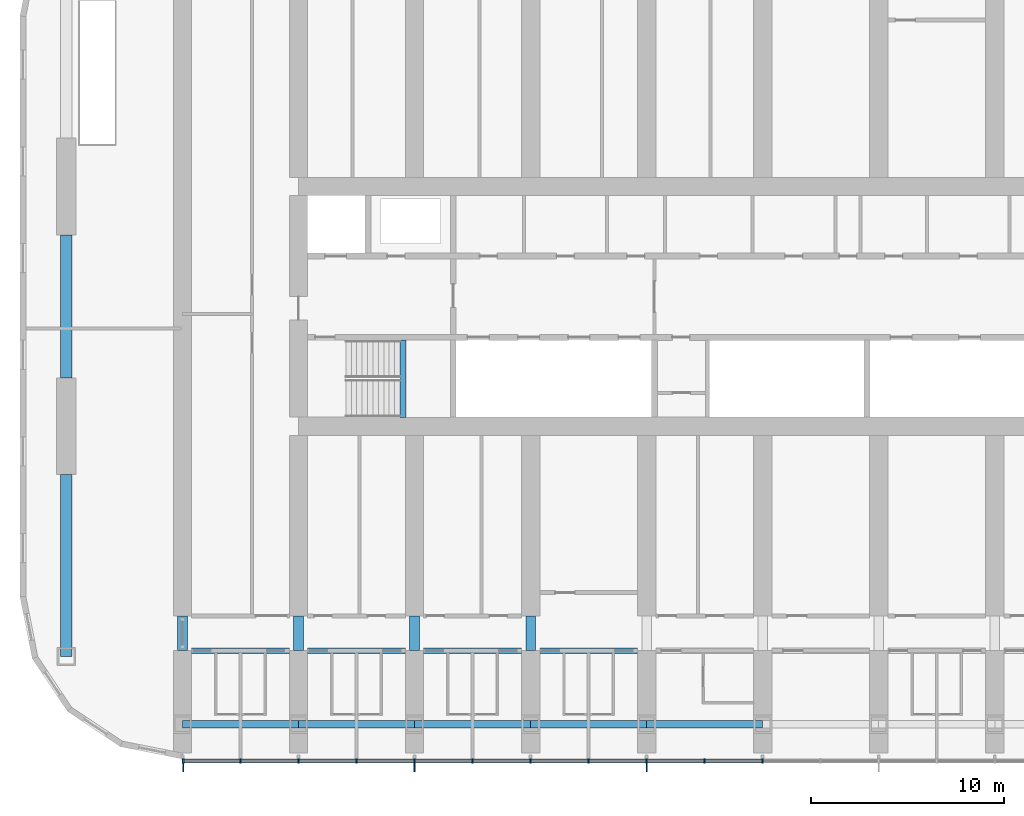
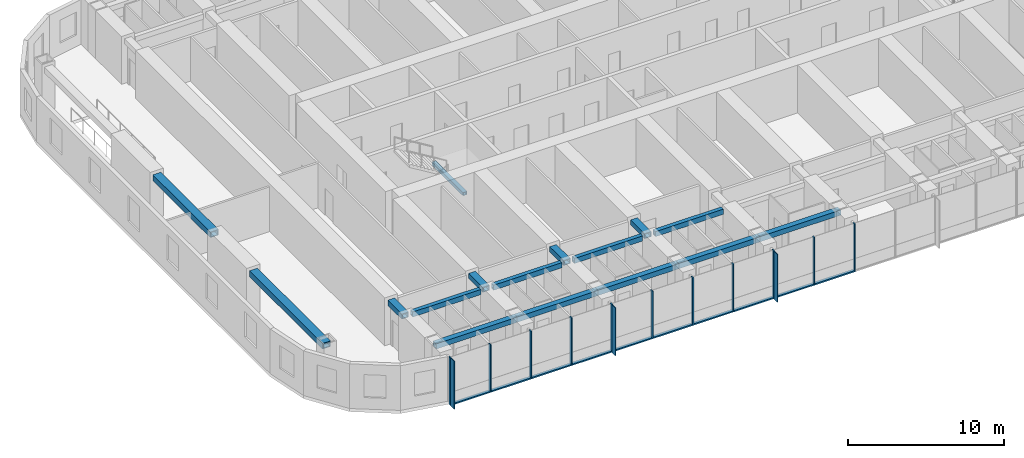
# One storey, part 2 of 22: 24 members, 16 beams, 1 element without a shape of its own.
"""IFC4 building model written with IfcOpenShell, lengths in metres."""

import ifcopenshell
import ifcopenshell.guid

model = None  # the IFC model being written
_history = None  # IfcOwnerHistory: only IFC2X3 demands one
_inside = {}  # id of a spatial element -> (the spatial element, [elements in it])
_under = {}  # id of a project, library or spatial element -> (it, [spatial elements below it])
_declared = {}  # id of a project -> (the project, [libraries it declares])
_typed = {}  # id of a type object -> (the type object, [elements of that type])
_made_of = {}  # id of a material, layer set ... -> (it, [elements and type objects made of it])


def new_model(schema):
    """Start an empty IFC model of exactly this schema.

    Asked for "IFC4X3", IfcOpenShell would pick the latest addendum, in which some entities
    have other attributes; the version numbers below select the first issue.
    IFC2X3 requires an IfcOwnerHistory on every rooted entity: one is made here for all.
    """
    global model, _history
    if schema == "IFC4X3":
        model = ifcopenshell.file(schema_version=(4, 3, 0, 0))
    else:
        model = ifcopenshell.file(schema=schema)
    _inside.clear()
    _under.clear()
    _declared.clear()
    _typed.clear()
    _made_of.clear()
    _history = None
    if model.schema == "IFC2X3":
        org = make("IfcOrganization", Name="unknown")
        user = make(
            "IfcPersonAndOrganization",
            ThePerson=make("IfcPerson", FamilyName="unknown"),
            TheOrganization=org,
        )
        app = make(
            "IfcApplication",
            ApplicationDeveloper=org,
            Version="unknown",
            ApplicationFullName="unknown",
            ApplicationIdentifier="unknown",
        )
        _history = make(
            "IfcOwnerHistory",
            OwningUser=user,
            OwningApplication=app,
            ChangeAction="ADDED",
            CreationDate=0,
        )
    return model


def make(cls, **values):
    """One entity of the class cls with the attributes given. An attribute that is None is left unset."""
    return model.create_entity(
        cls, **{name: value for name, value in values.items() if value is not None}
    )


def rooted(cls, **values):
    """An entity with a GlobalId (a new one), such as an element, a storey or a relation."""
    return make(cls, GlobalId=ifcopenshell.guid.new(), OwnerHistory=_history, **values)


def si_unit(unit_type, name, prefix=None):
    """IfcSIUnit, for example si_unit("LENGTHUNIT", "METRE", prefix="MILLI")."""
    return make("IfcSIUnit", UnitType=unit_type, Prefix=prefix, Name=name)


def assignment(units):
    """IfcUnitAssignment: the units of a project."""
    return None if units is None else make("IfcUnitAssignment", Units=units)


def point(xyz):
    """IfcCartesianPoint."""
    return None if xyz is None else make("IfcCartesianPoint", Coordinates=xyz)


def direction(xyz):
    """IfcDirection."""
    return None if xyz is None else make("IfcDirection", DirectionRatios=xyz)


def frame(location, z_axis=None, x_axis=None):
    """IfcAxis2Placement3D, a coordinate frame: its origin and axes. An axis left out is left unset."""
    return make(
        "IfcAxis2Placement3D",
        Location=point(location),
        Axis=direction(z_axis),
        RefDirection=direction(x_axis),
    )


def frame_2d(location, x_axis=None):
    """IfcAxis2Placement2D, a coordinate frame in the plane: its origin and x axis."""
    return make(
        "IfcAxis2Placement2D", Location=point(location), RefDirection=direction(x_axis)
    )


def origin():
    """The frame at (0, 0, 0) with its axes left unset."""
    return frame((0.0, 0.0, 0.0))


def origin_2d():
    """The frame at (0, 0) in the plane with its x axis left unset."""
    return frame_2d((0.0, 0.0))


def place(relative_to, where):
    """IfcLocalPlacement: puts the frame where relative to a parent placement (None: the world)."""
    return make(
        "IfcLocalPlacement", PlacementRelTo=relative_to, RelativePlacement=where
    )


def context(
    kind, dimensions, precision=None, world=None, true_north=None, identifier=None
):
    """IfcGeometricRepresentationContext, for example the 3D "Model" context."""
    return make(
        "IfcGeometricRepresentationContext",
        ContextIdentifier=identifier,
        ContextType=kind,
        CoordinateSpaceDimension=dimensions,
        Precision=precision,
        WorldCoordinateSystem=world,
        TrueNorth=true_north,
    )


def subcontext(parent, identifier, kind, view, scale=None):
    """IfcGeometricRepresentationSubContext, for example "Body" below "Model"."""
    return make(
        "IfcGeometricRepresentationSubContext",
        ContextIdentifier=identifier,
        ContextType=kind,
        ParentContext=parent,
        TargetScale=scale,
        TargetView=view,
    )


def project(units=None, contexts=None):
    """IfcProject with its units and contexts."""
    return rooted(
        "IfcProject",
        Name="project",
        RepresentationContexts=contexts,
        UnitsInContext=assignment(units),
    )


def spatial(cls, under=None, at=None, **own):
    """A site, building, storey or space (cls), placed at a placement, below another one or the project."""
    s = rooted(cls, ObjectPlacement=at, **own)
    if under is not None:
        _under.setdefault(under.id(), (under, []))[1].append(s)
    return s


def profile(cls, at=None, kind="AREA", **sizes):
    """A parametric profile (cls). Its sizes go by their IFC names, for example OverallWidth=200.0."""
    return make(cls, ProfileType=kind, Position=at, **sizes)


def rectangle(**sizes):
    """IfcRectangleProfileDef."""
    return profile("IfcRectangleProfileDef", **sizes)


def hollow_rectangle(**sizes):
    """IfcRectangleHollowProfileDef."""
    return profile("IfcRectangleHollowProfileDef", **sizes)


def extrude(swept, where, along, depth):
    """IfcExtrudedAreaSolid: the profile swept, set in the frame where, extruded along a direction by depth."""
    return make(
        "IfcExtrudedAreaSolid",
        SweptArea=swept,
        Position=where,
        ExtrudedDirection=direction(along),
        Depth=depth,
    )


def shape(context_of_items, identifier, shape_type, items):
    """IfcShapeRepresentation: the items that make up one representation, for example the "Body"."""
    return make(
        "IfcShapeRepresentation",
        ContextOfItems=context_of_items,
        RepresentationIdentifier=identifier,
        RepresentationType=shape_type,
        Items=items,
    )


def material(Name=None, Category=None):
    """IfcMaterial."""
    return make("IfcMaterial", Name=Name, Category=Category)


def material_profile(
    of_material, cross_section, Name=None, Category=None, Priority=None
):
    """IfcMaterialProfile: a cross section and its material."""
    return make(
        "IfcMaterialProfile",
        Name=Name,
        Material=of_material,
        Profile=cross_section,
        Priority=Priority,
        Category=Category,
    )


def profile_set(profiles, Name=None, composite=None):
    """IfcMaterialProfileSet."""
    return make(
        "IfcMaterialProfileSet",
        Name=Name,
        MaterialProfiles=profiles,
        CompositeProfile=composite,
    )


def made_of(thing, what):
    """Note that an element or type object is made of a material, layer set ...; save() writes the relation."""
    if what is not None:
        _made_of.setdefault(what.id(), (what, []))[1].append(thing)
    return thing


def type_object(cls, material=None, **own):
    """A type object (cls), such as IfcWallType, which elements share."""
    return made_of(rooted(cls, **own), material)


def element(
    cls,
    number,
    at=None,
    inside=None,
    cuts=None,
    type_object=None,
    material=None,
    context=None,
    identifier="Body",
    shape_type=None,
    held_by="IfcProductDefinitionShape",
    body=None,
    shapes=None,
    **own,
):
    """One element of the class cls, such as IfcWall. Its Tag is "e" and its number.

    at: its placement. inside: the storey or other place that contains it. cuts: it is an
    opening in that element (IfcRelVoidsElement). A single representation is given by context,
    identifier, shape_type and body (its items); several are given by shapes. held_by: the class
    of the entity that holds the representations. save() writes the other relations.
    """
    e = rooted(cls, Tag="e%d" % number, ObjectPlacement=at, **own)
    if body is not None:
        shapes = [shape(context, identifier, shape_type, body)]
    if shapes is not None:
        e.Representation = make(held_by, Representations=shapes)
    if inside is not None:
        _inside.setdefault(inside.id(), (inside, []))[1].append(e)
    if cuts is not None:
        rooted(
            "IfcRelVoidsElement", RelatingBuildingElement=cuts, RelatedOpeningElement=e
        )
    if type_object is not None:
        _typed.setdefault(type_object.id(), (type_object, []))[1].append(e)
    return made_of(e, material)


def aggregate(whole, parts):
    """IfcRelAggregates: a whole, such as a stair, and the parts it consists of."""
    return rooted("IfcRelAggregates", RelatingObject=whole, RelatedObjects=parts)


def save(model, path):
    """Write the relations noted so far, then the file.

    IfcRelAggregates (storeys below a building ...), IfcRelContainedInSpatialStructure (elements
    in a storey), IfcRelDefinesByType, IfcRelAssociatesMaterial and IfcRelDeclares: one each for
    every whole, place, type object, material and project.
    """
    for whole, parts in _under.values():
        aggregate(whole, parts)
    for where, things in _inside.values():
        rooted(
            "IfcRelContainedInSpatialStructure",
            RelatedElements=things,
            RelatingStructure=where,
        )
    for kind, things in _typed.values():
        rooted("IfcRelDefinesByType", RelatedObjects=things, RelatingType=kind)
    for what, things in _made_of.values():
        rooted("IfcRelAssociatesMaterial", RelatedObjects=things, RelatingMaterial=what)
    for by, libraries in _declared.values():
        rooted("IfcRelDeclares", RelatingContext=by, RelatedDefinitions=libraries)
    model.write(path)


model = new_model("IFC4")

# Units and contexts
model_context = context("Model", 3, precision=1e-05, world=origin(), true_north=direction((0.0, 1.0)))
body_context = subcontext(model_context, "Body", "Model", "MODEL_VIEW")
ifc_project = project(units=[si_unit("LENGTHUNIT", "METRE"), si_unit("AREAUNIT", "SQUARE_METRE"), si_unit("VOLUMEUNIT", "CUBIC_METRE"), si_unit("PLANEANGLEUNIT", "RADIAN"), si_unit("MASSUNIT", "GRAM", prefix="KILO")], contexts=[model_context])

# Site, building, storey
site_placement = place(None, origin())
site = spatial("IfcSite", under=ifc_project, at=site_placement, CompositionType="ELEMENT")
building_placement = place(site_placement, origin())
building = spatial("IfcBuilding", under=site, at=building_placement, Name="Orbita Commons", CompositionType="ELEMENT")
storey_placement = place(building_placement, frame((0.0, 0.0, 118.14990234375)))
storey = spatial("IfcBuildingStorey", under=building, at=storey_placement, Name="L29", CompositionType="ELEMENT", Elevation=118.14990234375)

# Curtain wall, members
ifc_material_1 = material(Name="Anodised aluminium frame, pale silver", Category="aluminium")
curtain_wall_type = type_object("IfcCurtainWallType", Name="Unitised curtain wall CW-T, vision and spandrel", PredefinedType="NOTDEFINED", material=ifc_material_1)
curtain_wall_placement = place(storey_placement, origin())
curtain_wall = element("IfcCurtainWall", 1, at=curtain_wall_placement, inside=storey, type_object=curtain_wall_type, Name="Curtain wall south L29", PredefinedType="NOTDEFINED")
ifc_material_2 = material(Name="Anodised aluminium, pale silver", Category="aluminium")
ifc_material_profile_1 = material_profile(ifc_material_2, rectangle(XDim=0.080078125, YDim=0.219970703125, at=origin_2d()), Name="AL 80x220")
ifc_profile_set_1 = profile_set([ifc_material_profile_1], Name="Anodised aluminium, pale silver")
member_type_1 = type_object("IfcMemberType", Name="Curtain wall mullion 80x220", PredefinedType="MULLION", material=ifc_profile_set_1)
member_1_placement = place(storey_placement, frame((12.0400390625, 8.489990234375, -0.25), z_axis=(0.0, 0.0, 1.0), x_axis=(1.0, 0.0, 0.0)))
member_1 = element("IfcMember", 2, at=member_1_placement, type_object=member_type_1, Name="Mullion 1 CW-L29-S", PredefinedType="MULLION", context=body_context, shape_type="SweptSolid", body=[
    extrude(rectangle(XDim=0.080078125, YDim=0.219970703125, at=origin_2d()), origin(), (0.0, 0.0, 1.0), 3.75),
])
member_2_placement = place(storey_placement, frame((15.0, 8.489990234375, -0.25), z_axis=(0.0, 0.0, 1.0), x_axis=(1.0, 0.0, 0.0)))
member_2 = element("IfcMember", 3, at=member_2_placement, type_object=member_type_1, Name="Mullion 2 CW-L29-S", PredefinedType="MULLION", context=body_context, shape_type="SweptSolid", body=[
    extrude(rectangle(XDim=0.080078125, YDim=0.219970703125, at=origin_2d()), origin(), (0.0, 0.0, 1.0), 3.75),
])
member_3_placement = place(storey_placement, frame((18.0, 8.489990234375, -0.25), z_axis=(0.0, 0.0, 1.0), x_axis=(1.0, 0.0, 0.0)))
member_3 = element("IfcMember", 4, at=member_3_placement, type_object=member_type_1, Name="Mullion 3 CW-L29-S", PredefinedType="MULLION", context=body_context, shape_type="SweptSolid", body=[
    extrude(rectangle(XDim=0.080078125, YDim=0.219970703125, at=origin_2d()), origin(), (0.0, 0.0, 1.0), 3.75),
])
member_4_placement = place(storey_placement, frame((21.0, 8.489990234375, -0.25), z_axis=(0.0, 0.0, 1.0), x_axis=(1.0, 0.0, 0.0)))
member_4 = element("IfcMember", 5, at=member_4_placement, type_object=member_type_1, Name="Mullion 4 CW-L29-S", PredefinedType="MULLION", context=body_context, shape_type="SweptSolid", body=[
    extrude(rectangle(XDim=0.080078125, YDim=0.219970703125, at=origin_2d()), origin(), (0.0, 0.0, 1.0), 3.75),
])
member_5_placement = place(storey_placement, frame((24.0, 8.489990234375, -0.25), z_axis=(0.0, 0.0, 1.0), x_axis=(1.0, 0.0, 0.0)))
member_5 = element("IfcMember", 6, at=member_5_placement, type_object=member_type_1, Name="Mullion 5 CW-L29-S", PredefinedType="MULLION", context=body_context, shape_type="SweptSolid", body=[
    extrude(rectangle(XDim=0.080078125, YDim=0.219970703125, at=origin_2d()), origin(), (0.0, 0.0, 1.0), 3.75),
])
member_6_placement = place(storey_placement, frame((27.0, 8.489990234375, -0.25), z_axis=(0.0, 0.0, 1.0), x_axis=(1.0, 0.0, 0.0)))
member_6 = element("IfcMember", 7, at=member_6_placement, type_object=member_type_1, Name="Mullion 6 CW-L29-S", PredefinedType="MULLION", context=body_context, shape_type="SweptSolid", body=[
    extrude(rectangle(XDim=0.080078125, YDim=0.219970703125, at=origin_2d()), origin(), (0.0, 0.0, 1.0), 3.75),
])
member_7_placement = place(storey_placement, frame((30.0, 8.489990234375, -0.25), z_axis=(0.0, 0.0, 1.0), x_axis=(1.0, 0.0, 0.0)))
member_7 = element("IfcMember", 8, at=member_7_placement, type_object=member_type_1, Name="Mullion 7 CW-L29-S", PredefinedType="MULLION", context=body_context, shape_type="SweptSolid", body=[
    extrude(rectangle(XDim=0.080078125, YDim=0.219970703125, at=origin_2d()), origin(), (0.0, 0.0, 1.0), 3.75),
])
member_8_placement = place(storey_placement, frame((33.0, 8.489990234375, -0.25), z_axis=(0.0, 0.0, 1.0), x_axis=(1.0, 0.0, 0.0)))
member_8 = element("IfcMember", 9, at=member_8_placement, type_object=member_type_1, Name="Mullion 8 CW-L29-S", PredefinedType="MULLION", context=body_context, shape_type="SweptSolid", body=[
    extrude(rectangle(XDim=0.080078125, YDim=0.219970703125, at=origin_2d()), origin(), (0.0, 0.0, 1.0), 3.75),
])
member_9_placement = place(storey_placement, frame((36.0, 8.489990234375, -0.25), z_axis=(0.0, 0.0, 1.0), x_axis=(1.0, 0.0, 0.0)))
member_9 = element("IfcMember", 10, at=member_9_placement, type_object=member_type_1, Name="Mullion 9 CW-L29-S", PredefinedType="MULLION", context=body_context, shape_type="SweptSolid", body=[
    extrude(rectangle(XDim=0.080078125, YDim=0.219970703125, at=origin_2d()), origin(), (0.0, 0.0, 1.0), 3.75),
])
member_10_placement = place(storey_placement, frame((39.0, 8.489990234375, -0.25), z_axis=(0.0, 0.0, 1.0), x_axis=(1.0, 0.0, 0.0)))
member_10 = element("IfcMember", 11, at=member_10_placement, type_object=member_type_1, Name="Mullion 10 CW-L29-S", PredefinedType="MULLION", context=body_context, shape_type="SweptSolid", body=[
    extrude(rectangle(XDim=0.080078125, YDim=0.219970703125, at=origin_2d()), origin(), (0.0, 0.0, 1.0), 3.75),
])
member_11_placement = place(storey_placement, frame((42.0, 8.489990234375, -0.25), z_axis=(0.0, 0.0, 1.0), x_axis=(1.0, 0.0, 0.0)))
member_11 = element("IfcMember", 12, at=member_11_placement, type_object=member_type_1, Name="Mullion 11 CW-L29-S", PredefinedType="MULLION", context=body_context, shape_type="SweptSolid", body=[
    extrude(rectangle(XDim=0.080078125, YDim=0.219970703125, at=origin_2d()), origin(), (0.0, 0.0, 1.0), 3.75),
])
ifc_material_3 = material(Name="Anodised aluminium, pale silver", Category="aluminium")
ifc_material_profile_2 = material_profile(ifc_material_3, rectangle(XDim=0.219970703125, YDim=0.10009765625, at=origin_2d()), Name="AL 220x100")
ifc_profile_set_2 = profile_set([ifc_material_profile_2], Name="Anodised aluminium, pale silver")
member_type_2 = type_object("IfcMemberType", Name="Curtain wall stack transom 220x100", PredefinedType="USERDEFINED", material=ifc_profile_set_2)
member_12_placement = place(storey_placement, frame((12.080078125, 8.489990234375, -0.199951171875), z_axis=(1.0, 0.0, 0.0), x_axis=(0.0, 1.0, 0.0)))
member_12 = element("IfcMember", 13, at=member_12_placement, type_object=member_type_2, Name="Transom 1.1 CW-L29-S", ObjectType="TRANSOM", PredefinedType="USERDEFINED", context=body_context, shape_type="SweptSolid", body=[
    extrude(rectangle(XDim=0.219970703125, YDim=0.10009765625, at=origin_2d()), origin(), (0.0, 0.0, 1.0), 2.8798828125),
])
member_13_placement = place(storey_placement, frame((15.0400390625, 8.489990234375, -0.199951171875), z_axis=(1.0, 0.0, 0.0), x_axis=(0.0, 1.0, 0.0)))
member_13 = element("IfcMember", 14, at=member_13_placement, type_object=member_type_2, Name="Transom 2.1 CW-L29-S", ObjectType="TRANSOM", PredefinedType="USERDEFINED", context=body_context, shape_type="SweptSolid", body=[
    extrude(rectangle(XDim=0.219970703125, YDim=0.10009765625, at=origin_2d()), origin(), (0.0, 0.0, 1.0), 2.919921875),
])
member_14_placement = place(storey_placement, frame((18.0400390625, 8.489990234375, -0.199951171875), z_axis=(1.0, 0.0, 0.0), x_axis=(0.0, 1.0, 0.0)))
member_14 = element("IfcMember", 15, at=member_14_placement, type_object=member_type_2, Name="Transom 3.1 CW-L29-S", ObjectType="TRANSOM", PredefinedType="USERDEFINED", context=body_context, shape_type="SweptSolid", body=[
    extrude(rectangle(XDim=0.219970703125, YDim=0.10009765625, at=origin_2d()), origin(), (0.0, 0.0, 1.0), 2.919921875),
])
member_15_placement = place(storey_placement, frame((21.0400390625, 8.489990234375, -0.199951171875), z_axis=(1.0, 0.0, 0.0), x_axis=(0.0, 1.0, 0.0)))
member_15 = element("IfcMember", 16, at=member_15_placement, type_object=member_type_2, Name="Transom 4.1 CW-L29-S", ObjectType="TRANSOM", PredefinedType="USERDEFINED", context=body_context, shape_type="SweptSolid", body=[
    extrude(rectangle(XDim=0.219970703125, YDim=0.10009765625, at=origin_2d()), origin(), (0.0, 0.0, 1.0), 2.919921875),
])
member_16_placement = place(storey_placement, frame((24.0400390625, 8.489990234375, -0.199951171875), z_axis=(1.0, 0.0, 0.0), x_axis=(0.0, 1.0, 0.0)))
member_16 = element("IfcMember", 17, at=member_16_placement, type_object=member_type_2, Name="Transom 5.1 CW-L29-S", ObjectType="TRANSOM", PredefinedType="USERDEFINED", context=body_context, shape_type="SweptSolid", body=[
    extrude(rectangle(XDim=0.219970703125, YDim=0.10009765625, at=origin_2d()), origin(), (0.0, 0.0, 1.0), 2.919921875),
])
member_17_placement = place(storey_placement, frame((27.0400390625, 8.489990234375, -0.199951171875), z_axis=(1.0, 0.0, 0.0), x_axis=(0.0, 1.0, 0.0)))
member_17 = element("IfcMember", 18, at=member_17_placement, type_object=member_type_2, Name="Transom 6.1 CW-L29-S", ObjectType="TRANSOM", PredefinedType="USERDEFINED", context=body_context, shape_type="SweptSolid", body=[
    extrude(rectangle(XDim=0.219970703125, YDim=0.10009765625, at=origin_2d()), origin(), (0.0, 0.0, 1.0), 2.919921875),
])
member_18_placement = place(storey_placement, frame((30.0400390625, 8.489990234375, -0.199951171875), z_axis=(1.0, 0.0, 0.0), x_axis=(0.0, 1.0, 0.0)))
member_18 = element("IfcMember", 19, at=member_18_placement, type_object=member_type_2, Name="Transom 7.1 CW-L29-S", ObjectType="TRANSOM", PredefinedType="USERDEFINED", context=body_context, shape_type="SweptSolid", body=[
    extrude(rectangle(XDim=0.219970703125, YDim=0.10009765625, at=origin_2d()), origin(), (0.0, 0.0, 1.0), 2.919921875),
])
member_19_placement = place(storey_placement, frame((33.0400390625, 8.489990234375, -0.199951171875), z_axis=(1.0, 0.0, 0.0), x_axis=(0.0, 1.0, 0.0)))
member_19 = element("IfcMember", 20, at=member_19_placement, type_object=member_type_2, Name="Transom 8.1 CW-L29-S", ObjectType="TRANSOM", PredefinedType="USERDEFINED", context=body_context, shape_type="SweptSolid", body=[
    extrude(rectangle(XDim=0.219970703125, YDim=0.10009765625, at=origin_2d()), origin(), (0.0, 0.0, 1.0), 2.919921875),
])
member_20_placement = place(storey_placement, frame((36.0400390625, 8.489990234375, -0.199951171875), z_axis=(1.0, 0.0, 0.0), x_axis=(0.0, 1.0, 0.0)))
member_20 = element("IfcMember", 21, at=member_20_placement, type_object=member_type_2, Name="Transom 9.1 CW-L29-S", ObjectType="TRANSOM", PredefinedType="USERDEFINED", context=body_context, shape_type="SweptSolid", body=[
    extrude(rectangle(XDim=0.219970703125, YDim=0.10009765625, at=origin_2d()), origin(), (0.0, 0.0, 1.0), 2.919921875),
])
member_21_placement = place(storey_placement, frame((39.0400390625, 8.489990234375, -0.199951171875), z_axis=(1.0, 0.0, 0.0), x_axis=(0.0, 1.0, 0.0)))
member_21 = element("IfcMember", 22, at=member_21_placement, type_object=member_type_2, Name="Transom 10.1 CW-L29-S", ObjectType="TRANSOM", PredefinedType="USERDEFINED", context=body_context, shape_type="SweptSolid", body=[
    extrude(rectangle(XDim=0.219970703125, YDim=0.10009765625, at=origin_2d()), origin(), (0.0, 0.0, 1.0), 2.919921875),
])

# Beams
ifc_material_4 = material(Name="Steel ASTM A572 Gr 50 welded plate", Category="steel")
ifc_material_profile_3 = material_profile(ifc_material_4, hollow_rectangle(XDim=0.300048828125, YDim=0.25, WallThickness=0.02490234375, at=origin_2d()), Name="BOX 250x300x25")
ifc_profile_set_3 = profile_set([ifc_material_profile_3], Name="Steel ASTM A572 Gr 50 welded plate")
beam_type_1 = type_object("IfcBeamType", Name="Stair landing beam steel BOX 250x300x25", PredefinedType="BEAM", material=ifc_profile_set_3)
beam_1_placement = place(storey_placement, frame((23.39990234375, 26.260009765625, 1.550048828125), z_axis=(0.0, 1.0, 0.0), x_axis=(-1.0, 0.0, 0.0)))
element("IfcBeam", 23, at=beam_1_placement, inside=storey, type_object=beam_type_1, Name="Stair S1 landing beam L29 1", PredefinedType="BEAM", context=body_context, shape_type="SweptSolid", body=[
    extrude(hollow_rectangle(XDim=0.300048828125, YDim=0.25, WallThickness=0.02490234375, at=origin_2d()), origin(), (0.0, 0.0, 1.0), 4.0048828125),
])
ifc_material_5 = material(Name="Steel ASTM A572 Gr 50 welded plate", Category="steel")
ifc_material_profile_4 = material_profile(ifc_material_5, hollow_rectangle(XDim=0.300048828125, YDim=0.39990234375, WallThickness=0.0400390625, at=origin_2d()), Name="BOX 400x300x40")
ifc_profile_set_4 = profile_set([ifc_material_profile_4], Name="Steel ASTM A572 Gr 50 welded plate")
beam_type_2 = type_object("IfcBeamType", Name="Steel corridor link BOX 400x300x40", PredefinedType="BEAM", material=ifc_profile_set_4)
for number, where, z_axis, x_axis, name in (
    (24, (12.47509765625, 14.199951171875, 3.300048828125), (1.0, 0.0, 0.0), (0.0, 1.0, 0.0), "Corridor beam SA 3-4 L29"),
    (25, (18.47509765625, 14.199951171875, 3.300048828125), (1.0, 0.0, 0.0), (0.0, 1.0, 0.0), "Corridor beam SA 4-5 L29"),
    (26, (24.47509765625, 14.199951171875, 3.300048828125), (1.0, 0.0, 0.0), (0.0, 1.0, 0.0), "Corridor beam SA 5-6 L29"),
    (27, (30.47509765625, 14.199951171875, 3.300048828125), (1.0, 0.0, 0.0), (0.0, 1.0, 0.0), "Corridor beam SA 6-7 L29"),
):
    element("IfcBeam", number, at=place(storey_placement, frame(where, z_axis=z_axis, x_axis=x_axis)), inside=storey, type_object=beam_type_2, Name=name, PredefinedType="BEAM", context=body_context, shape_type="SweptSolid", body=[
        extrude(hollow_rectangle(XDim=0.300048828125, YDim=0.39990234375, WallThickness=0.0400390625, at=origin_2d()), origin(), (0.0, 0.0, 1.0), 5.0498046875),
    ])
ifc_material_6 = material(Name="Steel ASTM A572 Gr 50 welded plate", Category="steel")
ifc_material_profile_5 = material_profile(ifc_material_6, hollow_rectangle(XDim=0.5, YDim=0.39990234375, WallThickness=0.050048828125, at=origin_2d()), Name="BOX 400x500x50")
ifc_profile_set_5 = profile_set([ifc_material_profile_5], Name="Steel ASTM A572 Gr 50 welded plate")
beam_type_3 = type_object("IfcBeamType", Name="Steel coupling link BOX 400x500x50", PredefinedType="LINTEL", material=ifc_profile_set_5)
for number, where, z_axis, x_axis, name in (
    (28, (12.0, 14.199951171875, 3.300048828125), (0.0, 1.0, 0.0), (-1.0, 0.0, 0.0), "Coupling beam 3 south L29"),
    (29, (18.0, 14.199951171875, 3.300048828125), (0.0, 1.0, 0.0), (-1.0, 0.0, 0.0), "Coupling beam 4 south L29"),
    (30, (24.0, 14.199951171875, 3.300048828125), (0.0, 1.0, 0.0), (-1.0, 0.0, 0.0), "Coupling beam 5 south L29"),
    (31, (30.0, 14.199951171875, 3.300048828125), (0.0, 1.0, 0.0), (-1.0, 0.0, 0.0), "Coupling beam 6 south L29"),
):
    element("IfcBeam", number, at=place(storey_placement, frame(where, z_axis=z_axis, x_axis=x_axis)), inside=storey, type_object=beam_type_3, Name=name, PredefinedType="LINTEL", context=body_context, shape_type="SweptSolid", body=[
        extrude(hollow_rectangle(XDim=0.5, YDim=0.39990234375, WallThickness=0.050048828125, at=origin_2d()), origin(), (0.0, 0.0, 1.0), 1.800048828125),
    ])
ifc_material_7 = material(Name="Steel ASTM A572 Gr 50 welded plate", Category="steel")
ifc_material_profile_6 = material_profile(ifc_material_7, hollow_rectangle(XDim=0.60009765625, YDim=0.449951171875, WallThickness=0.06005859375, at=origin_2d()), Name="BOX 450x600x60")
ifc_profile_set_6 = profile_set([ifc_material_profile_6], Name="Steel ASTM A572 Gr 50 welded plate")
beam_type_4 = type_object("IfcBeamType", Name="Steel end frame link BOX 450x600x60", PredefinedType="BEAM", material=ifc_profile_set_6)
beam_2_placement = place(storey_placement, frame((6.0, 13.89990234375, 3.275146484375), z_axis=(0.0, 1.0, 0.0), x_axis=(-1.0, 0.0, 0.0)))
element("IfcBeam", 32, at=beam_2_placement, inside=storey, type_object=beam_type_4, Name="End frame beam 2 B-C L29", PredefinedType="BEAM", context=body_context, shape_type="SweptSolid", body=[
    extrude(hollow_rectangle(XDim=0.60009765625, YDim=0.449951171875, WallThickness=0.06005859375, at=origin_2d()), origin(), (0.0, 0.0, 1.0), 9.400146484375),
])
beam_3_placement = place(storey_placement, frame((6.0, 28.300048828125, 3.275146484375), z_axis=(0.0, 1.0, 0.0), x_axis=(-1.0, 0.0, 0.0)))
element("IfcBeam", 33, at=beam_3_placement, inside=storey, type_object=beam_type_4, Name="End frame beam 2 C-D L29", PredefinedType="BEAM", context=body_context, shape_type="SweptSolid", body=[
    extrude(hollow_rectangle(XDim=0.60009765625, YDim=0.449951171875, WallThickness=0.06005859375, at=origin_2d()), origin(), (0.0, 0.0, 1.0), 7.39990234375),
])
ifc_material_8 = material(Name="Steel ASTM A572 Gr 50 welded plate", Category="steel")
ifc_material_profile_7 = material_profile(ifc_material_8, hollow_rectangle(XDim=0.39990234375, YDim=0.39990234375, WallThickness=0.0400390625, at=origin_2d()), Name="BOX 400x400x40")
ifc_profile_set_7 = profile_set([ifc_material_profile_7], Name="Steel ASTM A572 Gr 50 welded plate")
beam_type_5 = type_object("IfcBeamType", Name="Steel spandrel BOX 400x400x40", PredefinedType="SPANDREL", material=ifc_profile_set_7)
for number, where, z_axis, x_axis, name in (
    (34, (12.0, 10.39990234375, 3.300048828125), (1.0, 0.0, 0.0), (0.0, 1.0, 0.0), "Spandrel beam B 3-4 L29"),
    (35, (18.0, 10.39990234375, 3.300048828125), (1.0, 0.0, 0.0), (0.0, 1.0, 0.0), "Spandrel beam B 4-5 L29"),
    (36, (24.0, 10.39990234375, 3.300048828125), (1.0, 0.0, 0.0), (0.0, 1.0, 0.0), "Spandrel beam B 5-6 L29"),
    (37, (30.0, 10.39990234375, 3.300048828125), (1.0, 0.0, 0.0), (0.0, 1.0, 0.0), "Spandrel beam B 6-7 L29"),
    (38, (36.0, 10.39990234375, 3.300048828125), (1.0, 0.0, 0.0), (0.0, 1.0, 0.0), "Spandrel beam B 7-8 L29"),
):
    element("IfcBeam", number, at=place(storey_placement, frame(where, z_axis=z_axis, x_axis=x_axis)), inside=storey, type_object=beam_type_5, Name=name, PredefinedType="SPANDREL", context=body_context, shape_type="SweptSolid", body=[
        extrude(hollow_rectangle(XDim=0.39990234375, YDim=0.39990234375, WallThickness=0.0400390625, at=origin_2d()), origin(), (0.0, 0.0, 1.0), 6.0),
    ])

# Member
ifc_material_9 = material(Name="Anodised aluminium, pale silver", Category="aluminium")
ifc_material_profile_8 = material_profile(ifc_material_9, rectangle(XDim=0.06005859375, YDim=0.449951171875, at=origin_2d()), Name="FIN 60x450")
ifc_profile_set_8 = profile_set([ifc_material_profile_8], Name="Anodised aluminium, pale silver")
member_type_3 = type_object("IfcMemberType", Name="Vertical fin 60x450 pale aluminium", PredefinedType="USERDEFINED", material=ifc_profile_set_8)
member_22_placement = place(storey_placement, frame((12.0400390625, 8.155029296875, -0.25), z_axis=(0.0, 0.0, 1.0), x_axis=(1.0, 0.0, 0.0)))
member_22 = element("IfcMember", 39, at=member_22_placement, type_object=member_type_3, Name="Fin 1 CW-L29-S", ObjectType="FIN", PredefinedType="USERDEFINED", context=body_context, shape_type="SweptSolid", body=[
    extrude(rectangle(XDim=0.06005859375, YDim=0.449951171875, at=origin_2d()), origin(), (0.0, 0.0, 1.0), 3.75),
])

member_23_placement = place(storey_placement, frame((24.0, 8.155029296875, -0.25), z_axis=(0.0, 0.0, 1.0), x_axis=(1.0, 0.0, 0.0)))
member_23 = element("IfcMember", 40, at=member_23_placement, type_object=member_type_3, Name="Fin 5 CW-L29-S", ObjectType="FIN", PredefinedType="USERDEFINED", context=body_context, shape_type="SweptSolid", body=[
    extrude(rectangle(XDim=0.06005859375, YDim=0.449951171875, at=origin_2d()), origin(), (0.0, 0.0, 1.0), 3.75),
])

member_24_placement = place(storey_placement, frame((36.0, 8.155029296875, -0.25), z_axis=(0.0, 0.0, 1.0), x_axis=(1.0, 0.0, 0.0)))
member_24 = element("IfcMember", 41, at=member_24_placement, type_object=member_type_3, Name="Fin 9 CW-L29-S", ObjectType="FIN", PredefinedType="USERDEFINED", context=body_context, shape_type="SweptSolid", body=[
    extrude(rectangle(XDim=0.06005859375, YDim=0.449951171875, at=origin_2d()), origin(), (0.0, 0.0, 1.0), 3.75),
])

aggregate(curtain_wall, [member_1, member_22, member_2, member_3, member_4, member_5, member_23, member_6, member_7, member_8, member_9, member_24, member_10, member_11, member_12, member_13, member_14, member_15, member_16, member_17, member_18, member_19, member_20, member_21])

save(model, "model.ifc")
